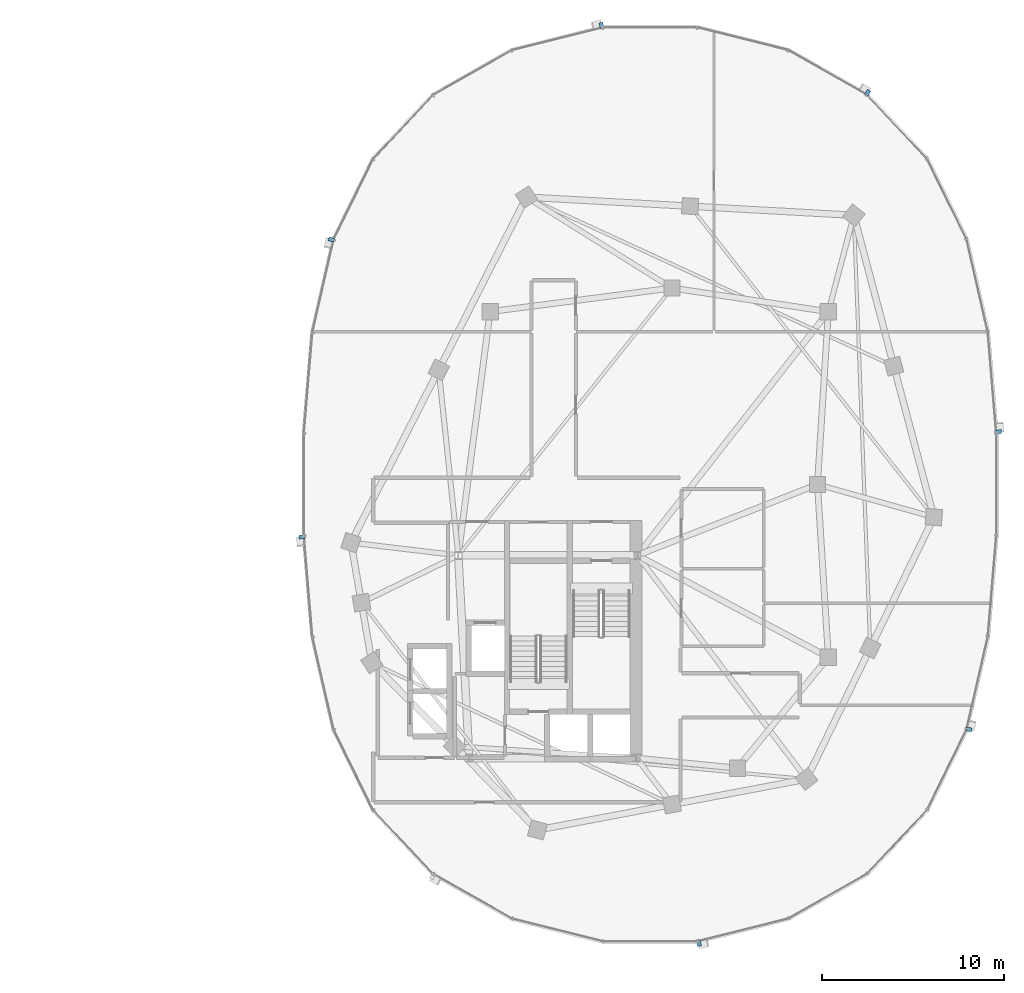
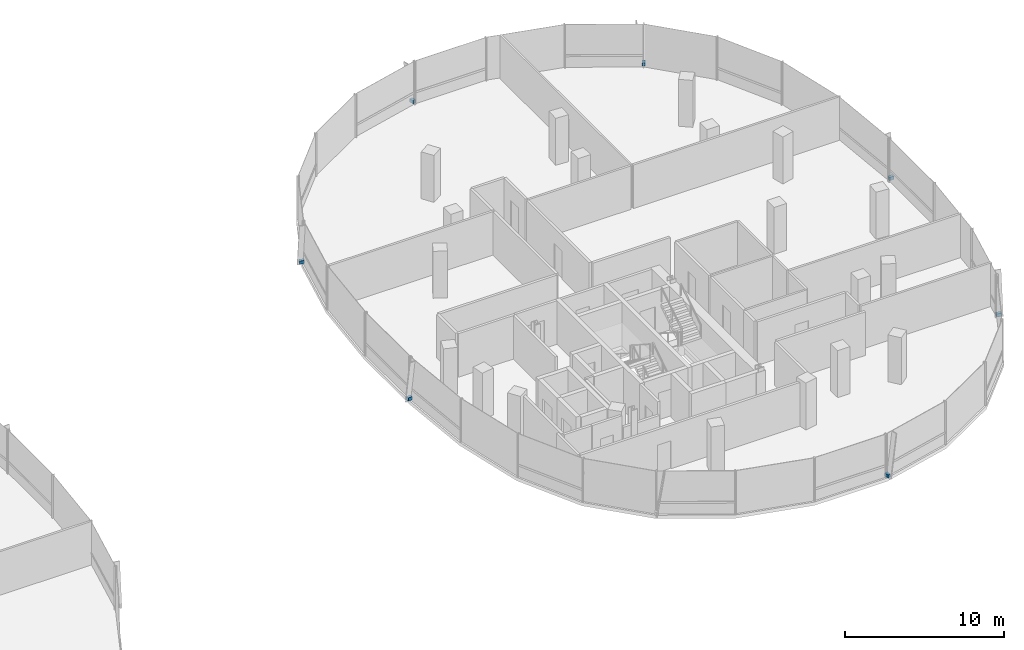
# One storey, part 20 of 25: 7 discrete accessories.
"""IFC4 building model written with IfcOpenShell, lengths in metres."""

from ifc_helpers import new_model, si_unit, direction, frame, origin, origin_2d, place, context, subcontext, project, spatial, rectangle, extrude, material, type_object, element, save


model = new_model("IFC4")

# Units and contexts
model_context = context("Model", 3, precision=1e-05, world=origin(), true_north=direction((0.0, 1.0)))
body_context = subcontext(model_context, "Body", "Model", "MODEL_VIEW")
ifc_project = project(units=[si_unit("LENGTHUNIT", "METRE"), si_unit("AREAUNIT", "SQUARE_METRE"), si_unit("VOLUMEUNIT", "CUBIC_METRE"), si_unit("PLANEANGLEUNIT", "RADIAN"), si_unit("MASSUNIT", "GRAM", prefix="KILO"), si_unit("THERMODYNAMICTEMPERATUREUNIT", "KELVIN"), si_unit("POWERUNIT", "WATT")], contexts=[model_context])

# Site, building, storey
site_placement = place(None, origin())
site = spatial("IfcSite", under=ifc_project, at=site_placement, CompositionType="ELEMENT")
building_placement = place(site_placement, origin())
building = spatial("IfcBuilding", under=site, at=building_placement, Name="Cundina Bronze Exchange", CompositionType="ELEMENT")
storey_placement = place(building_placement, frame((0.0, 0.0, 209.800048828125)))
storey = spatial("IfcBuildingStorey", under=building, at=storey_placement, Name="L55", CompositionType="ELEMENT", Elevation=209.800048828125)

# Discrete accessories
ifc_material = material(Name="Anodised Bronze Aluminium 6063-T6", Category="aluminium")
discrete_accessory_type = type_object("IfcDiscreteAccessoryType", Name="ACC-BRK-FIN", PredefinedType="BRACKET", material=ifc_material)
for number, where, z_axis, x_axis, name in (
    (1, (51.15478515625, 2.893798828125, 0.10009765625), (0.0, 0.0, 1.0), (-0.083747411454, 0.996487015006, 0.0), "L55 Fin Support Bracket 1"),
    (2, (43.961181640625, 21.539794921875, 0.10009765625), (0.0, 0.0, 1.0), (-0.869572506985, 0.493805280547, 0.0), "L55 Fin Support Bracket 5"),
    (3, (29.321044921875, 25.23779296875, 0.10009765625), (0.0, 0.0, 1.0), (-0.969731542251, -0.244173577528, 0.0), "L55 Fin Support Bracket 1"),
    (4, (14.470458984375, 13.468505859375, 0.10009765625), (0.0, 0.0, 1.0), (-0.223284141459, -0.974753400698, 0.0), "L55 Fin Support Bracket 5"),
    (5, (12.84521484375, -2.893798828125, 0.10009765625), (0.0, 0.0, 1.0), (0.083747411454, -0.996487015006, 0.0), "L55 Fin Support Bracket 1"),
    (6, (34.678955078125, -25.23779296875, 0.10009765625), (0.0, 0.0, 1.0), (0.969731542251, 0.244173577528, 0.0), "L55 Fin Support Bracket 1"),
    (7, (49.529541015625, -13.468505859375, 0.10009765625), (0.0, 0.0, 1.0), (0.223284141459, 0.974753400698, 0.0), "L55 Fin Support Bracket 5"),
):
    element("IfcDiscreteAccessory", number, at=place(storey_placement, frame(where, z_axis=z_axis, x_axis=x_axis)), inside=storey, type_object=discrete_accessory_type, Name=name, PredefinedType="BRACKET", context=body_context, shape_type="SweptSolid", body=[
        extrude(rectangle(XDim=0.219970703125, YDim=0.320068359375, at=origin_2d()), origin(), (0.0, 0.0, 1.0), 0.239990234375),
    ])

save(model, "model.ifc")
